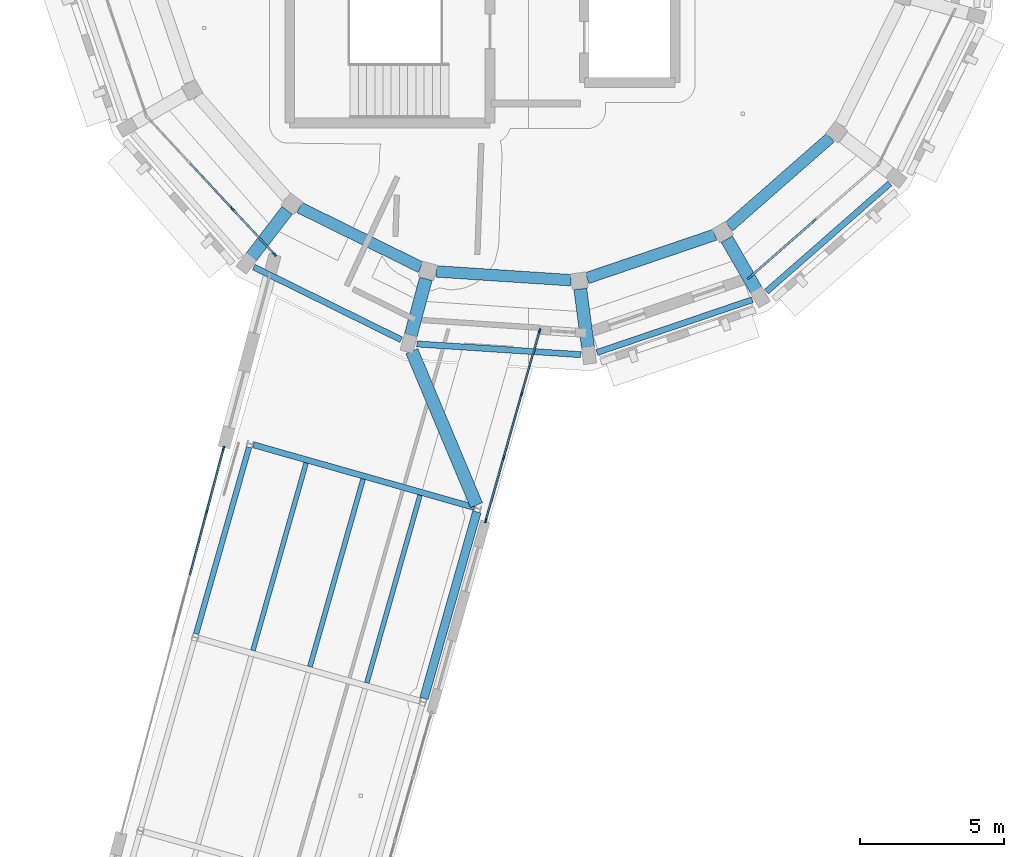
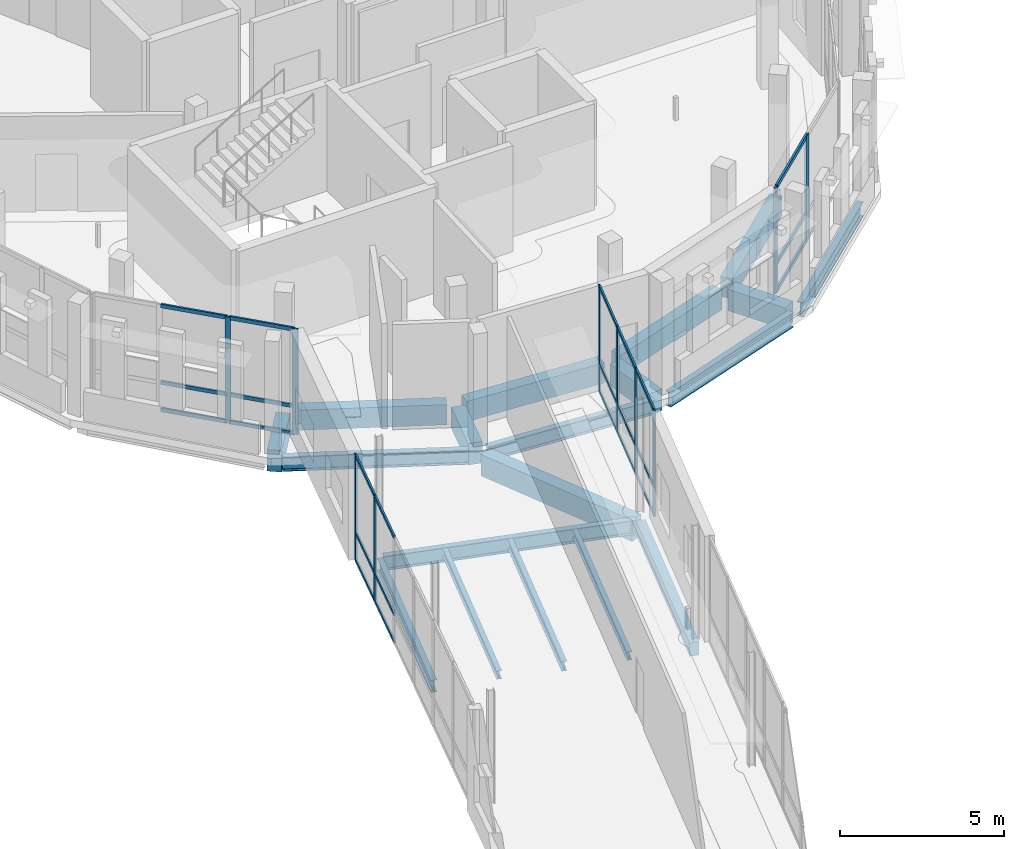
# One storey, part 63 of 125: 34 members, 19 beams, 4 elements without a shape of their own.
"""IFC4 building model written with IfcOpenShell, lengths in metres."""

from ifc_helpers import new_model, si_unit, direction, frame, origin, origin_2d, place, context, subcontext, project, spatial, rectangle, i_section, extrude, material, material_profile, profile_set, type_object, element, aggregate, save


model = new_model("IFC4")

# Units and contexts
model_context = context("Model", 3, precision=1e-05, world=origin(), true_north=direction((0.0, 1.0)))
body_context = subcontext(model_context, "Body", "Model", "MODEL_VIEW")
ifc_project = project(units=[si_unit("LENGTHUNIT", "METRE"), si_unit("AREAUNIT", "SQUARE_METRE"), si_unit("VOLUMEUNIT", "CUBIC_METRE"), si_unit("PLANEANGLEUNIT", "RADIAN"), si_unit("MASSUNIT", "GRAM", prefix="KILO")], contexts=[model_context])

# Site, building, storey
site_placement = place(None, origin())
site = spatial("IfcSite", under=ifc_project, at=site_placement, CompositionType="ELEMENT")
building_placement = place(site_placement, origin())
building = spatial("IfcBuilding", under=site, at=building_placement, Name="Wrenclough Park School", CompositionType="ELEMENT")
storey_placement = place(building_placement, frame((0.0, 0.0, 4.199951171875)))
storey = spatial("IfcBuildingStorey", under=building, at=storey_placement, Name="L01", CompositionType="ELEMENT", Elevation=4.199951171875)

# Curtain wall, members
ifc_material_1 = material(Name="Thermally broken aluminium and low-e glass curtain wall", Category="aluminium")
curtain_wall_type_1 = type_object("IfcCurtainWallType", Name="ENV-CW-09", PredefinedType="USERDEFINED", material=ifc_material_1)
curtain_wall_1_placement = place(storey_placement, origin())
curtain_wall_1 = element("IfcCurtainWall", 1, at=curtain_wall_1_placement, inside=storey, type_object=curtain_wall_type_1, Name="L01 recessed curtain wall assembly 120", ObjectType="CURTAIN WALL", PredefinedType="USERDEFINED")
ifc_material_2 = material(Name="Thermally broken anodised aluminium", Category="aluminium")
ifc_material_profile_1 = material_profile(ifc_material_2, rectangle(XDim=0.06005859375, YDim=0.159912109375, at=origin_2d()), Name="AL MULLION 60x160")
ifc_profile_set_1 = profile_set([ifc_material_profile_1], Name="Thermally broken anodised aluminium")
member_type_1 = type_object("IfcMemberType", Name="ENV-CWM-1", PredefinedType="MULLION", material=ifc_profile_set_1)
member_1_placement = place(storey_placement, frame((174.8818359375, 78.42529296875, 0.0), z_axis=(0.0, 0.0, 1.0), x_axis=(0.962063363218, -0.272826107905, 0.0)))
member_1 = element("IfcMember", 2, at=member_1_placement, type_object=member_type_1, Name="CW-09 mullion 1", PredefinedType="MULLION", context=body_context, shape_type="SweptSolid", body=[
    extrude(rectangle(XDim=0.06005859375, YDim=0.159912109375, at=origin_2d()), origin(), (0.0, 0.0, 1.0), 3.93994140625),
])
member_2_placement = place(storey_placement, frame((174.26416015625, 76.24755859375, 0.0), z_axis=(0.0, 0.0, 1.0), x_axis=(0.962063363218, -0.272826107905, 0.0)))
member_2 = element("IfcMember", 3, at=member_2_placement, type_object=member_type_1, Name="CW-09 mullion 2", PredefinedType="MULLION", context=body_context, shape_type="SweptSolid", body=[
    extrude(rectangle(XDim=0.06005859375, YDim=0.159912109375, at=origin_2d()), origin(), (0.0, 0.0, 1.0), 3.93994140625),
])
member_3_placement = place(storey_placement, frame((173.638427734375, 74.041015625, 0.0), z_axis=(0.0, 0.0, 1.0), x_axis=(0.962063363218, -0.272826107905, 0.0)))
member_3 = element("IfcMember", 4, at=member_3_placement, type_object=member_type_1, Name="CW-09 mullion 3", PredefinedType="MULLION", context=body_context, shape_type="SweptSolid", body=[
    extrude(rectangle(XDim=0.06005859375, YDim=0.159912109375, at=origin_2d()), origin(), (0.0, 0.0, 1.0), 3.93994140625),
])
member_4_placement = place(storey_placement, frame((173.02099609375, 71.86328125, 0.0), z_axis=(0.0, 0.0, 1.0), x_axis=(0.962063363218, -0.272826107905, 0.0)))
member_4 = element("IfcMember", 5, at=member_4_placement, type_object=member_type_1, Name="CW-09 mullion 4", PredefinedType="MULLION", context=body_context, shape_type="SweptSolid", body=[
    extrude(rectangle(XDim=0.06005859375, YDim=0.159912109375, at=origin_2d()), origin(), (0.0, 0.0, 1.0), 3.93994140625),
])

curtain_wall_type_2 = type_object("IfcCurtainWallType", Name="ENV-CW-13", PredefinedType="USERDEFINED", material=ifc_material_1)
curtain_wall_2_placement = place(storey_placement, origin())
curtain_wall_2 = element("IfcCurtainWall", 6, at=curtain_wall_2_placement, inside=storey, type_object=curtain_wall_type_2, Name="L01 recessed curtain wall assembly 156", ObjectType="CURTAIN WALL", PredefinedType="USERDEFINED")
member_5_placement = place(storey_placement, frame((163.35888671875, 72.1669921875, 0.0), z_axis=(0.0, 0.0, 1.0), x_axis=(-0.966438093709, 0.256899612745, 0.0)))
member_5 = element("IfcMember", 7, at=member_5_placement, type_object=member_type_1, Name="CW-13 mullion 3", PredefinedType="MULLION", context=body_context, shape_type="SweptSolid", body=[
    extrude(rectangle(XDim=0.06005859375, YDim=0.159912109375, at=origin_2d()), origin(), (0.0, 0.0, 1.0), 3.93994140625),
])
member_6_placement = place(storey_placement, frame((163.94140625, 74.358642578125, 0.0), z_axis=(0.0, 0.0, 1.0), x_axis=(-0.966438093709, 0.256899612745, 0.0)))
member_6 = element("IfcMember", 8, at=member_6_placement, type_object=member_type_1, Name="CW-13 mullion 4", PredefinedType="MULLION", context=body_context, shape_type="SweptSolid", body=[
    extrude(rectangle(XDim=0.06005859375, YDim=0.159912109375, at=origin_2d()), origin(), (0.0, 0.0, 1.0), 3.93994140625),
])

curtain_wall_type_3 = type_object("IfcCurtainWallType", Name="ENV-CW-14", PredefinedType="USERDEFINED", material=ifc_material_1)
curtain_wall_3_placement = place(storey_placement, origin())
curtain_wall_3 = element("IfcCurtainWall", 9, at=curtain_wall_3_placement, inside=storey, type_object=curtain_wall_type_3, Name="L01 recessed curtain wall assembly 157", ObjectType="CURTAIN WALL", PredefinedType="USERDEFINED")
ifc_material_profile_2 = material_profile(ifc_material_2, rectangle(XDim=0.06494140625, YDim=0.179931640625, at=origin_2d()), Name="AL MULLION 65x180")
ifc_profile_set_2 = profile_set([ifc_material_profile_2], Name="Thermally broken anodised aluminium")
member_type_2 = type_object("IfcMemberType", Name="ENV-CWM-2", PredefinedType="MULLION", material=ifc_profile_set_2)
member_7_placement = place(storey_placement, frame((165.6982421875, 81.088134765625, 0.0), z_axis=(0.0, 0.0, 1.0), x_axis=(-0.733012925047, -0.68021471001, 0.0)))
member_7 = element("IfcMember", 10, at=member_7_placement, type_object=member_type_2, Name="CW-14 mullion 1", PredefinedType="MULLION", context=body_context, shape_type="SweptSolid", body=[
    extrude(rectangle(XDim=0.06494140625, YDim=0.179931640625, at=origin_2d()), origin(), (0.0, 0.0, 1.0), 3.93994140625),
])
member_8_placement = place(storey_placement, frame((164.237548828125, 82.662353515625, 0.0), z_axis=(0.0, 0.0, 1.0), x_axis=(-0.733012925047, -0.68021471001, 0.0)))
member_8 = element("IfcMember", 11, at=member_8_placement, type_object=member_type_2, Name="CW-14 mullion 2", PredefinedType="MULLION", context=body_context, shape_type="SweptSolid", body=[
    extrude(rectangle(XDim=0.06494140625, YDim=0.179931640625, at=origin_2d()), origin(), (0.0, 0.0, 1.0), 3.93994140625),
])

curtain_wall_type_4 = type_object("IfcCurtainWallType", Name="ENV-CW-08", PredefinedType="USERDEFINED", material=ifc_material_1)
curtain_wall_4_placement = place(storey_placement, origin())
curtain_wall_4 = element("IfcCurtainWall", 12, at=curtain_wall_4_placement, inside=storey, type_object=curtain_wall_type_4, Name="L01 recessed curtain wall assembly 119", ObjectType="CURTAIN WALL", PredefinedType="USERDEFINED")
ifc_material_profile_3 = material_profile(ifc_material_2, rectangle(XDim=0.070068359375, YDim=0.199951171875, at=origin_2d()), Name="AL MULLION 70x200")
ifc_profile_set_3 = profile_set([ifc_material_profile_3], Name="Thermally broken anodised aluminium")
member_type_3 = type_object("IfcMemberType", Name="ENV-CWM-3", PredefinedType="MULLION", material=ifc_profile_set_3)
member_9_placement = place(storey_placement, frame((184.379638671875, 82.234375, 0.0), z_axis=(0.0, 0.0, 1.0), x_axis=(0.65936519908, -0.751822807743, 0.0)))
member_9 = element("IfcMember", 13, at=member_9_placement, type_object=member_type_3, Name="CW-08 mullion 2", PredefinedType="MULLION", context=body_context, shape_type="SweptSolid", body=[
    extrude(rectangle(XDim=0.070068359375, YDim=0.199951171875, at=origin_2d()), origin(), (0.0, 0.0, 1.0), 3.93994140625),
])
member_10_placement = place(storey_placement, frame((182.168212890625, 80.294677734375, 0.0), z_axis=(0.0, 0.0, 1.0), x_axis=(0.65936519908, -0.751822807743, 0.0)))
member_10 = element("IfcMember", 14, at=member_10_placement, type_object=member_type_3, Name="CW-08 mullion 3", PredefinedType="MULLION", context=body_context, shape_type="SweptSolid", body=[
    extrude(rectangle(XDim=0.070068359375, YDim=0.199951171875, at=origin_2d()), origin(), (0.0, 0.0, 1.0), 3.93994140625),
])

# Member
ifc_material_profile_4 = material_profile(ifc_material_2, rectangle(XDim=0.06005859375, YDim=0.1201171875, at=origin_2d()), Name="AL TRANSOM 60x120")
ifc_profile_set_4 = profile_set([ifc_material_profile_4], Name="Thermally broken anodised aluminium")
member_type_4 = type_object("IfcMemberType", Name="ENV-CWT-1", PredefinedType="USERDEFINED", material=ifc_profile_set_4)
member_11_placement = place(storey_placement, frame((174.87353515625, 78.396484375, 0.030029296875), z_axis=(-0.272759819839, -0.962082159008, 0.0), x_axis=(0.962082159008, -0.272759819839, 0.0)))
member_11 = element("IfcMember", 15, at=member_11_placement, type_object=member_type_4, Name="CW-09 transom 1.1", ObjectType="TRANSOM", PredefinedType="USERDEFINED", context=body_context, shape_type="SweptSolid", body=[
    extrude(rectangle(XDim=0.06005859375, YDim=0.1201171875, at=origin_2d()), origin(), (0.0, 0.0, 1.0), 2.20361328125),
])

member_12_placement = place(storey_placement, frame((174.87353515625, 78.396484375, 1.050048828125), z_axis=(-0.272759819839, -0.962082159008, 0.0), x_axis=(0.962082159008, -0.272759819839, 0.0)))
member_12 = element("IfcMember", 16, at=member_12_placement, type_object=member_type_4, Name="CW-09 transom 1.2", ObjectType="TRANSOM", PredefinedType="USERDEFINED", context=body_context, shape_type="SweptSolid", body=[
    extrude(rectangle(XDim=0.06005859375, YDim=0.1201171875, at=origin_2d()), origin(), (0.0, 0.0, 1.0), 2.20361328125),
])

member_13_placement = place(storey_placement, frame((174.87353515625, 78.396484375, 3.91015625), z_axis=(-0.272759819839, -0.962082159008, 0.0), x_axis=(0.962082159008, -0.272759819839, 0.0)))
member_13 = element("IfcMember", 17, at=member_13_placement, type_object=member_type_4, Name="CW-09 transom 1.3", ObjectType="TRANSOM", PredefinedType="USERDEFINED", context=body_context, shape_type="SweptSolid", body=[
    extrude(rectangle(XDim=0.06005859375, YDim=0.1201171875, at=origin_2d()), origin(), (0.0, 0.0, 1.0), 2.20361328125),
])

member_14_placement = place(storey_placement, frame((174.256103515625, 76.21875, 0.030029296875), z_axis=(-0.272815040683, -0.96206650164, 0.0), x_axis=(0.96206650164, -0.272815040683, 0.0)))
member_14 = element("IfcMember", 18, at=member_14_placement, type_object=member_type_4, Name="CW-09 transom 2.1", ObjectType="TRANSOM", PredefinedType="USERDEFINED", context=body_context, shape_type="SweptSolid", body=[
    extrude(rectangle(XDim=0.06005859375, YDim=0.1201171875, at=origin_2d()), origin(), (0.0, 0.0, 1.0), 2.233642578125),
])

member_15_placement = place(storey_placement, frame((174.256103515625, 76.21875, 1.050048828125), z_axis=(-0.272815040683, -0.96206650164, 0.0), x_axis=(0.96206650164, -0.272815040683, 0.0)))
member_15 = element("IfcMember", 19, at=member_15_placement, type_object=member_type_4, Name="CW-09 transom 2.2", ObjectType="TRANSOM", PredefinedType="USERDEFINED", context=body_context, shape_type="SweptSolid", body=[
    extrude(rectangle(XDim=0.06005859375, YDim=0.1201171875, at=origin_2d()), origin(), (0.0, 0.0, 1.0), 2.233642578125),
])

member_16_placement = place(storey_placement, frame((174.256103515625, 76.21875, 3.91015625), z_axis=(-0.272815040683, -0.96206650164, 0.0), x_axis=(0.96206650164, -0.272815040683, 0.0)))
member_16 = element("IfcMember", 20, at=member_16_placement, type_object=member_type_4, Name="CW-09 transom 2.3", ObjectType="TRANSOM", PredefinedType="USERDEFINED", context=body_context, shape_type="SweptSolid", body=[
    extrude(rectangle(XDim=0.06005859375, YDim=0.1201171875, at=origin_2d()), origin(), (0.0, 0.0, 1.0), 2.233642578125),
])

member_17_placement = place(storey_placement, frame((173.63037109375, 74.011962890625, 0.030029296875), z_axis=(-0.27289144552, -0.962044832096, 0.0), x_axis=(0.962044832096, -0.27289144552, 0.0)))
member_17 = element("IfcMember", 21, at=member_17_placement, type_object=member_type_4, Name="CW-09 transom 3.1", ObjectType="TRANSOM", PredefinedType="USERDEFINED", context=body_context, shape_type="SweptSolid", body=[
    extrude(rectangle(XDim=0.06005859375, YDim=0.1201171875, at=origin_2d()), origin(), (0.0, 0.0, 1.0), 2.20361328125),
])

member_18_placement = place(storey_placement, frame((173.63037109375, 74.011962890625, 1.050048828125), z_axis=(-0.27289144552, -0.962044832096, 0.0), x_axis=(0.962044832096, -0.27289144552, 0.0)))
member_18 = element("IfcMember", 22, at=member_18_placement, type_object=member_type_4, Name="CW-09 transom 3.2", ObjectType="TRANSOM", PredefinedType="USERDEFINED", context=body_context, shape_type="SweptSolid", body=[
    extrude(rectangle(XDim=0.06005859375, YDim=0.1201171875, at=origin_2d()), origin(), (0.0, 0.0, 1.0), 2.20361328125),
])

member_19_placement = place(storey_placement, frame((173.63037109375, 74.011962890625, 3.91015625), z_axis=(-0.27289144552, -0.962044832096, 0.0), x_axis=(0.962044832096, -0.27289144552, 0.0)))
member_19 = element("IfcMember", 23, at=member_19_placement, type_object=member_type_4, Name="CW-09 transom 3.3", ObjectType="TRANSOM", PredefinedType="USERDEFINED", context=body_context, shape_type="SweptSolid", body=[
    extrude(rectangle(XDim=0.06005859375, YDim=0.1201171875, at=origin_2d()), origin(), (0.0, 0.0, 1.0), 2.20361328125),
])

aggregate(curtain_wall_1, [member_1, member_2, member_3, member_4, member_11, member_12, member_13, member_14, member_15, member_16, member_17, member_18, member_19])

member_20_placement = place(storey_placement, frame((162.7763671875, 69.975341796875, 0.030029296875), z_axis=(0.256834079261, 0.966455511511, 0.0), x_axis=(-0.966455511511, 0.256834079261, 0.0)))
member_20 = element("IfcMember", 24, at=member_20_placement, type_object=member_type_4, Name="CW-13 transom 2.1", ObjectType="TRANSOM", PredefinedType="USERDEFINED", context=body_context, shape_type="SweptSolid", body=[
    extrude(rectangle(XDim=0.06005859375, YDim=0.1201171875, at=origin_2d()), origin(), (0.0, 0.0, 1.0), 2.237548828125),
])

member_21_placement = place(storey_placement, frame((162.7763671875, 69.975341796875, 1.050048828125), z_axis=(0.256834079261, 0.966455511511, 0.0), x_axis=(-0.966455511511, 0.256834079261, 0.0)))
member_21 = element("IfcMember", 25, at=member_21_placement, type_object=member_type_4, Name="CW-13 transom 2.2", ObjectType="TRANSOM", PredefinedType="USERDEFINED", context=body_context, shape_type="SweptSolid", body=[
    extrude(rectangle(XDim=0.06005859375, YDim=0.1201171875, at=origin_2d()), origin(), (0.0, 0.0, 1.0), 2.237548828125),
])

member_22_placement = place(storey_placement, frame((162.7763671875, 69.975341796875, 3.91015625), z_axis=(0.256834079261, 0.966455511511, 0.0), x_axis=(-0.966455511511, 0.256834079261, 0.0)))
member_22 = element("IfcMember", 26, at=member_22_placement, type_object=member_type_4, Name="CW-13 transom 2.3", ObjectType="TRANSOM", PredefinedType="USERDEFINED", context=body_context, shape_type="SweptSolid", body=[
    extrude(rectangle(XDim=0.06005859375, YDim=0.1201171875, at=origin_2d()), origin(), (0.0, 0.0, 1.0), 2.237548828125),
])

member_23_placement = place(storey_placement, frame((163.36669921875, 72.196044921875, 0.030029296875), z_axis=(0.256898541394, 0.966438378496, 0.0), x_axis=(-0.966438378496, 0.256898541394, 0.0)))
member_23 = element("IfcMember", 27, at=member_23_placement, type_object=member_type_4, Name="CW-13 transom 3.1", ObjectType="TRANSOM", PredefinedType="USERDEFINED", context=body_context, shape_type="SweptSolid", body=[
    extrude(rectangle(XDim=0.06005859375, YDim=0.1201171875, at=origin_2d()), origin(), (0.0, 0.0, 1.0), 2.20751953125),
])

member_24_placement = place(storey_placement, frame((163.36669921875, 72.196044921875, 1.050048828125), z_axis=(0.256898541394, 0.966438378496, 0.0), x_axis=(-0.966438378496, 0.256898541394, 0.0)))
member_24 = element("IfcMember", 28, at=member_24_placement, type_object=member_type_4, Name="CW-13 transom 3.2", ObjectType="TRANSOM", PredefinedType="USERDEFINED", context=body_context, shape_type="SweptSolid", body=[
    extrude(rectangle(XDim=0.06005859375, YDim=0.1201171875, at=origin_2d()), origin(), (0.0, 0.0, 1.0), 2.20751953125),
])

member_25_placement = place(storey_placement, frame((163.36669921875, 72.196044921875, 3.91015625), z_axis=(0.256898541394, 0.966438378496, 0.0), x_axis=(-0.966438378496, 0.256898541394, 0.0)))
member_25 = element("IfcMember", 29, at=member_25_placement, type_object=member_type_4, Name="CW-13 transom 3.3", ObjectType="TRANSOM", PredefinedType="USERDEFINED", context=body_context, shape_type="SweptSolid", body=[
    extrude(rectangle(XDim=0.06005859375, YDim=0.1201171875, at=origin_2d()), origin(), (0.0, 0.0, 1.0), 2.20751953125),
])

aggregate(curtain_wall_2, [member_5, member_6, member_20, member_21, member_22, member_23, member_24, member_25])

ifc_material_profile_5 = material_profile(ifc_material_2, rectangle(XDim=0.06494140625, YDim=0.139892578125, at=origin_2d()), Name="AL TRANSOM 65x140")
ifc_profile_set_5 = profile_set([ifc_material_profile_5], Name="Thermally broken anodised aluminium")
member_type_5 = type_object("IfcMemberType", Name="ENV-CWT-2", PredefinedType="USERDEFINED", material=ifc_profile_set_5)
member_26_placement = place(storey_placement, frame((165.67626953125, 81.112060546875, 0.032470703125), z_axis=(-0.68029820098, 0.732935439001, 0.0), x_axis=(-0.732935439001, -0.68029820098, 0.0)))
member_26 = element("IfcMember", 30, at=member_26_placement, type_object=member_type_5, Name="CW-14 transom 1.1", ObjectType="TRANSOM", PredefinedType="USERDEFINED", context=body_context, shape_type="SweptSolid", body=[
    extrude(rectangle(XDim=0.06494140625, YDim=0.139892578125, at=origin_2d()), origin(), (0.0, 0.0, 1.0), 2.08251953125),
])

member_27_placement = place(storey_placement, frame((165.67626953125, 81.112060546875, 1.050048828125), z_axis=(-0.68029820098, 0.732935439001, 0.0), x_axis=(-0.732935439001, -0.68029820098, 0.0)))
member_27 = element("IfcMember", 31, at=member_27_placement, type_object=member_type_5, Name="CW-14 transom 1.2", ObjectType="TRANSOM", PredefinedType="USERDEFINED", context=body_context, shape_type="SweptSolid", body=[
    extrude(rectangle(XDim=0.06494140625, YDim=0.139892578125, at=origin_2d()), origin(), (0.0, 0.0, 1.0), 2.08251953125),
])

member_28_placement = place(storey_placement, frame((165.67626953125, 81.112060546875, 3.907470703125), z_axis=(-0.68029820098, 0.732935439001, 0.0), x_axis=(-0.732935439001, -0.68029820098, 0.0)))
member_28 = element("IfcMember", 32, at=member_28_placement, type_object=member_type_5, Name="CW-14 transom 1.3", ObjectType="TRANSOM", PredefinedType="USERDEFINED", context=body_context, shape_type="SweptSolid", body=[
    extrude(rectangle(XDim=0.06494140625, YDim=0.139892578125, at=origin_2d()), origin(), (0.0, 0.0, 1.0), 2.08251953125),
])

member_29_placement = place(storey_placement, frame((164.21533203125, 82.68603515625, 0.032470703125), z_axis=(-0.680176524177, 0.733048358541, 0.0), x_axis=(-0.733048358541, -0.680176524177, 0.0)))
member_29 = element("IfcMember", 33, at=member_29_placement, type_object=member_type_5, Name="CW-14 transom 2.1", ObjectType="TRANSOM", PredefinedType="USERDEFINED", context=body_context, shape_type="SweptSolid", body=[
    extrude(rectangle(XDim=0.06494140625, YDim=0.139892578125, at=origin_2d()), origin(), (0.0, 0.0, 1.0), 2.11474609375),
])

member_30_placement = place(storey_placement, frame((164.21533203125, 82.68603515625, 1.050048828125), z_axis=(-0.680176524177, 0.733048358541, 0.0), x_axis=(-0.733048358541, -0.680176524177, 0.0)))
member_30 = element("IfcMember", 34, at=member_30_placement, type_object=member_type_5, Name="CW-14 transom 2.2", ObjectType="TRANSOM", PredefinedType="USERDEFINED", context=body_context, shape_type="SweptSolid", body=[
    extrude(rectangle(XDim=0.06494140625, YDim=0.139892578125, at=origin_2d()), origin(), (0.0, 0.0, 1.0), 2.11474609375),
])

member_31_placement = place(storey_placement, frame((164.21533203125, 82.68603515625, 3.907470703125), z_axis=(-0.680176524177, 0.733048358541, 0.0), x_axis=(-0.733048358541, -0.680176524177, 0.0)))
member_31 = element("IfcMember", 35, at=member_31_placement, type_object=member_type_5, Name="CW-14 transom 2.3", ObjectType="TRANSOM", PredefinedType="USERDEFINED", context=body_context, shape_type="SweptSolid", body=[
    extrude(rectangle(XDim=0.06494140625, YDim=0.139892578125, at=origin_2d()), origin(), (0.0, 0.0, 1.0), 2.11474609375),
])

aggregate(curtain_wall_3, [member_7, member_8, member_26, member_27, member_28, member_29, member_30, member_31])

ifc_material_profile_6 = material_profile(ifc_material_2, rectangle(XDim=0.070068359375, YDim=0.14990234375, at=origin_2d()), Name="AL TRANSOM 70x150")
ifc_profile_set_6 = profile_set([ifc_material_profile_6], Name="Thermally broken anodised aluminium")
member_type_6 = type_object("IfcMemberType", Name="ENV-CWT-3", PredefinedType="USERDEFINED", material=ifc_profile_set_6)
member_32_placement = place(storey_placement, frame((184.353271484375, 82.211181640625, 0.03515625), z_axis=(-0.751807177873, -0.659383020177, 0.0), x_axis=(0.659383020177, -0.751807177873, 0.0)))
member_32 = element("IfcMember", 36, at=member_32_placement, type_object=member_type_6, Name="CW-08 transom 2.1", ObjectType="TRANSOM", PredefinedType="USERDEFINED", context=body_context, shape_type="SweptSolid", body=[
    extrude(rectangle(XDim=0.070068359375, YDim=0.14990234375, at=origin_2d()), origin(), (0.0, 0.0, 1.0), 2.871337890625),
])

member_33_placement = place(storey_placement, frame((184.353271484375, 82.211181640625, 1.050048828125), z_axis=(-0.751807177873, -0.659383020177, 0.0), x_axis=(0.659383020177, -0.751807177873, 0.0)))
member_33 = element("IfcMember", 37, at=member_33_placement, type_object=member_type_6, Name="CW-08 transom 2.2", ObjectType="TRANSOM", PredefinedType="USERDEFINED", context=body_context, shape_type="SweptSolid", body=[
    extrude(rectangle(XDim=0.070068359375, YDim=0.14990234375, at=origin_2d()), origin(), (0.0, 0.0, 1.0), 2.871337890625),
])

member_34_placement = place(storey_placement, frame((184.353271484375, 82.211181640625, 3.905029296875), z_axis=(-0.751807177873, -0.659383020177, 0.0), x_axis=(0.659383020177, -0.751807177873, 0.0)))
member_34 = element("IfcMember", 38, at=member_34_placement, type_object=member_type_6, Name="CW-08 transom 2.3", ObjectType="TRANSOM", PredefinedType="USERDEFINED", context=body_context, shape_type="SweptSolid", body=[
    extrude(rectangle(XDim=0.070068359375, YDim=0.14990234375, at=origin_2d()), origin(), (0.0, 0.0, 1.0), 2.871337890625),
])

aggregate(curtain_wall_4, [member_9, member_10, member_32, member_33, member_34])

# Beams
ifc_material_3 = material(Name="Concrete C32/40", Category="concrete")
ifc_material_profile_7 = material_profile(ifc_material_3, rectangle(XDim=0.300048828125, YDim=0.5, at=origin_2d()), Name="RC BEAM 300x500")
ifc_profile_set_7 = profile_set([ifc_material_profile_7], Name="Concrete C32/40")
beam_type_1 = type_object("IfcBeamType", Name="STR-BM-RC300", PredefinedType="BEAM", material=ifc_profile_set_7)
beam_1_placement = place(storey_placement, frame((170.877685546875, 65.698974609375, -0.489990234375), z_axis=(0.272849195102, 0.962056815751, 0.0), x_axis=(-0.962056815751, 0.272849195102, 0.0)))
element("IfcBeam", 39, at=beam_1_placement, inside=storey, type_object=beam_type_1, Name="W14 L01 longitudinal edge beam R3", PredefinedType="BEAM", context=body_context, shape_type="SweptSolid", body=[
    extrude(rectangle(XDim=0.300048828125, YDim=0.5, at=origin_2d()), origin(), (0.0, 0.0, 1.0), 6.7197265625),
])
ifc_material_4 = material(Name="Concrete C35/45", Category="concrete")
ifc_material_profile_8 = material_profile(ifc_material_4, rectangle(XDim=0.39990234375, YDim=0.75, at=origin_2d()), Name="RC BEAM 400x750")
ifc_profile_set_8 = profile_set([ifc_material_profile_8], Name="Concrete C35/45")
beam_type_2 = type_object("IfcBeamType", Name="STR-BM-RC400B", PredefinedType="BEAM", material=ifc_profile_set_8)
beam_2_placement = place(storey_placement, frame((166.570556640625, 82.701904296875, -0.639892578125), z_axis=(0.896880241617, -0.442273481226, 0.0), x_axis=(0.442273481226, 0.896880241617, 0.0)))
element("IfcBeam", 40, at=beam_2_placement, inside=storey, type_object=beam_type_2, Name="D5 L01 middle ring beam 11", PredefinedType="BEAM", context=body_context, shape_type="SweptSolid", body=[
    extrude(rectangle(XDim=0.39990234375, YDim=0.75, at=origin_2d()), origin(), (0.0, 0.0, 1.0), 4.671630859375),
])
for number, where, z_axis, x_axis, name in (
    (41, (171.306396484375, 80.489501953125, -0.639892578125), (0.997857396509, -0.065426418457, 0.0), (0.065426418457, 0.997857396509, 0.0), "D5 L01 middle ring beam 12"),
    (42, (176.5283203125, 80.2578125, -0.639892578125), (0.946934115804, 0.321427721776, 0.0), (-0.321427721776, 0.946934115804, 0.0), "D5 L01 middle ring beam 13"),
    (43, (181.44140625, 82.0419921875, -0.639892578125), (0.751864088667, 0.659318126683, 0.0), (-0.659318126683, 0.751864088667, 0.0), "D5 L01 middle ring beam 14"),
):
    element("IfcBeam", number, at=place(storey_placement, frame(where, z_axis=z_axis, x_axis=x_axis)), inside=storey, type_object=beam_type_2, Name=name, PredefinedType="BEAM", context=body_context, shape_type="SweptSolid", body=[
        extrude(rectangle(XDim=0.39990234375, YDim=0.75, at=origin_2d()), origin(), (0.0, 0.0, 1.0), 4.671875),
    ])
ifc_material_5 = material(Name="Concrete C40/50", Category="concrete")
ifc_material_profile_9 = material_profile(ifc_material_5, rectangle(XDim=0.449951171875, YDim=0.800048828125, at=origin_2d()), Name="RC BEAM 450x800")
ifc_profile_set_9 = profile_set([ifc_material_profile_9], Name="Concrete C40/50")
beam_type_3 = type_object("IfcBeamType", Name="STR-BM-RC450", PredefinedType="BEAM", material=ifc_profile_set_9)
for number, where, z_axis, x_axis, name in (
    (44, (164.90478515625, 80.9951171875, -0.6650390625), (0.608783476285, 0.793336422335, 0.0), (-0.793336422335, 0.608783476285, 0.0), "D5 L01 radial girder 11"),
    (45, (170.42041015625, 78.275146484375, -0.6650390625), (0.258878789183, 0.965909815931, 0.0), (-0.965909815931, 0.258878789183, 0.0), "D5 L01 radial girder 12"),
):
    element("IfcBeam", number, at=place(storey_placement, frame(where, z_axis=z_axis, x_axis=x_axis)), inside=storey, type_object=beam_type_3, Name=name, PredefinedType="BEAM", context=body_context, shape_type="SweptSolid", body=[
        extrude(rectangle(XDim=0.449951171875, YDim=0.800048828125, at=origin_2d()), origin(), (0.0, 0.0, 1.0), 2.02392578125),
    ])
for number, where, z_axis, x_axis, name in (
    (46, (176.557373046875, 77.872802734375, -0.6650390625), (-0.130504433005, 0.991447725786, 0.0), (-0.991447725786, -0.130504433005, 0.0), "D5 L01 radial girder 13"),
    (47, (182.381103515625, 79.849609375, -0.6650390625), (-0.500056541798, 0.865992756901, 0.0), (-0.865992756901, -0.500056541798, 0.0), "D5 L01 radial girder 14"),
):
    element("IfcBeam", number, at=place(storey_placement, frame(where, z_axis=z_axis, x_axis=x_axis)), inside=storey, type_object=beam_type_3, Name=name, PredefinedType="BEAM", context=body_context, shape_type="SweptSolid", body=[
        extrude(rectangle(XDim=0.449951171875, YDim=0.800048828125, at=origin_2d()), origin(), (0.0, 0.0, 1.0), 2.024169921875),
    ])
beam_3_placement = place(storey_placement, frame((172.697265625, 72.39404296875, -0.6650390625), z_axis=(-0.386959251148, 0.922096815931, 0.0), x_axis=(-0.922096815931, -0.386959251148, 0.0)))
element("IfcBeam", 48, at=beam_3_placement, inside=storey, type_object=beam_type_3, Name="W14 L01 drum junction tie beam 38", PredefinedType="BEAM", context=body_context, shape_type="SweptSolid", body=[
    extrude(rectangle(XDim=0.449951171875, YDim=0.800048828125, at=origin_2d()), origin(), (0.0, 0.0, 1.0), 5.7880859375),
])
ifc_material_6 = material(Name="Structural steel S355", Category="steel")
ifc_material_profile_10 = material_profile(ifc_material_6, i_section(OverallWidth=0.1650390625, OverallDepth=0.303466796875, WebThickness=0.006103515625, FlangeThickness=0.01025390625, FilletRadius=0.0087890625, at=origin_2d()), Name="UKB 305x165x40")
ifc_profile_set_10 = profile_set([ifc_material_profile_10], Name="Structural steel S355")
beam_type_4 = type_object("IfcBeamType", Name="STR-BM-UKB305", PredefinedType="JOIST", material=ifc_profile_set_10)
beam_4_placement = place(storey_placement, frame((164.956298828125, 67.360107421875, -0.3916015625), z_axis=(0.27284457139, 0.962058127071, 0.0), x_axis=(-0.962058127071, 0.27284457139, 0.0)))
element("IfcBeam", 49, at=beam_4_placement, inside=storey, type_object=beam_type_4, Name="W14 L01 secondary floor joist 0067", PredefinedType="JOIST", context=body_context, shape_type="SweptSolid", body=[
    extrude(i_section(OverallWidth=0.1650390625, OverallDepth=0.303466796875, WebThickness=0.006103515625, FlangeThickness=0.01025390625, FilletRadius=0.0087890625, at=origin_2d()), origin(), (0.0, 0.0, 1.0), 6.7548828125),
])
beam_5_placement = place(storey_placement, frame((168.90087890625, 66.241455078125, -0.3916015625), z_axis=(0.2728111184, 0.96206761388, 0.0), x_axis=(-0.96206761388, 0.2728111184, 0.0)))
element("IfcBeam", 50, at=beam_5_placement, inside=storey, type_object=beam_type_4, Name="W14 L01 secondary floor joist 0069", PredefinedType="JOIST", context=body_context, shape_type="SweptSolid", body=[
    extrude(i_section(OverallWidth=0.1650390625, OverallDepth=0.303466796875, WebThickness=0.006103515625, FlangeThickness=0.01025390625, FilletRadius=0.0087890625, at=origin_2d()), origin(), (0.0, 0.0, 1.0), 6.754638671875),
])
ifc_material_profile_11 = material_profile(ifc_material_6, i_section(OverallWidth=0.17138671875, OverallDepth=0.35498046875, WebThickness=0.00732421875, FlangeThickness=0.011474609375, FilletRadius=0.01025390625, at=origin_2d()), Name="UKB 356x171x51")
ifc_profile_set_11 = profile_set([ifc_material_profile_11], Name="Structural steel S355")
beam_type_5 = type_object("IfcBeamType", Name="STR-BM-UKB356", PredefinedType="JOIST", material=ifc_profile_set_11)
beam_6_placement = place(storey_placement, frame((166.9287109375, 66.80078125, -0.41748046875), z_axis=(0.2728111184, 0.96206761388, 0.0), x_axis=(-0.96206761388, 0.2728111184, 0.0)))
element("IfcBeam", 51, at=beam_6_placement, inside=storey, type_object=beam_type_5, Name="W14 L01 secondary floor joist 0068", PredefinedType="JOIST", context=body_context, shape_type="SweptSolid", body=[
    extrude(i_section(OverallWidth=0.17138671875, OverallDepth=0.35498046875, WebThickness=0.00732421875, FlangeThickness=0.011474609375, FilletRadius=0.01025390625, at=origin_2d()), origin(), (0.0, 0.0, 1.0), 6.754638671875),
])
ifc_material_profile_12 = material_profile(ifc_material_6, i_section(OverallWidth=0.18994140625, OverallDepth=0.453369140625, WebThickness=0.008544921875, FlangeThickness=0.0126953125, FilletRadius=0.01025390625, at=origin_2d()), Name="UKB 457x191x67")
ifc_profile_set_12 = profile_set([ifc_material_profile_12], Name="Structural steel S355")
beam_type_6 = type_object("IfcBeamType", Name="STR-BM-UKB457A", PredefinedType="BEAM", material=ifc_profile_set_12)
beam_7_placement = place(storey_placement, frame((162.98876953125, 67.936279296875, -0.466552734375), z_axis=(0.272858732297, 0.962054110853, 0.0), x_axis=(-0.962054110853, 0.272858732297, 0.0)))
element("IfcBeam", 52, at=beam_7_placement, inside=storey, type_object=beam_type_6, Name="W14 L01 longitudinal edge beam L3", PredefinedType="BEAM", context=body_context, shape_type="SweptSolid", body=[
    extrude(i_section(OverallWidth=0.18994140625, OverallDepth=0.453369140625, WebThickness=0.008544921875, FlangeThickness=0.0126953125, FilletRadius=0.01025390625, at=origin_2d()), origin(), (0.0, 0.0, 1.0), 6.719482421875),
])
ifc_material_profile_13 = material_profile(ifc_material_6, i_section(OverallWidth=0.209228515625, OverallDepth=0.533203125, WebThickness=0.010009765625, FlangeThickness=0.015625, FilletRadius=0.0126953125, at=origin_2d()), Name="UKB 533x210x92")
ifc_profile_set_13 = profile_set([ifc_material_profile_13], Name="Structural steel S355")
beam_type_7 = type_object("IfcBeamType", Name="STR-BM-UKB533A", PredefinedType="BEAM", material=ifc_profile_set_13)
beam_8_placement = place(storey_placement, frame((164.97314453125, 74.4853515625, -0.506591796875), z_axis=(0.962058282015, -0.272844025052, 0.0), x_axis=(0.272844025052, 0.962058282015, 0.0)))
element("IfcBeam", 53, at=beam_8_placement, inside=storey, type_object=beam_type_7, Name="W14 L01 transverse floor beam 4", PredefinedType="BEAM", context=body_context, shape_type="SweptSolid", body=[
    extrude(i_section(OverallWidth=0.209228515625, OverallDepth=0.533203125, WebThickness=0.010009765625, FlangeThickness=0.015625, FilletRadius=0.0126953125, at=origin_2d()), origin(), (0.0, 0.0, 1.0), 7.95556640625),
])
ifc_material_profile_14 = material_profile(ifc_material_6, i_section(OverallWidth=0.210693359375, OverallDepth=0.53955078125, WebThickness=0.01171875, FlangeThickness=0.018798828125, FilletRadius=0.0126953125, at=origin_2d()), Name="UKB 533x210x109")
ifc_profile_set_14 = profile_set([ifc_material_profile_14], Name="Structural steel S355")
beam_type_8 = type_object("IfcBeamType", Name="STR-BM-UKB533B", PredefinedType="SPANDREL", material=ifc_profile_set_14)
beam_9_placement = place(storey_placement, frame((164.98779296875, 80.639404296875, -0.53466796875), z_axis=(0.896861071545, -0.442312353825, 0.0), x_axis=(0.442312353825, 0.896861071545, 0.0)))
element("IfcBeam", 54, at=beam_9_placement, inside=storey, type_object=beam_type_8, Name="D5 L01 outer ring spandrel beam 11", PredefinedType="SPANDREL", context=body_context, shape_type="SweptSolid", body=[
    extrude(i_section(OverallWidth=0.210693359375, OverallDepth=0.53955078125, WebThickness=0.01171875, FlangeThickness=0.018798828125, FilletRadius=0.0126953125, at=origin_2d()), origin(), (0.0, 0.0, 1.0), 5.686279296875),
])
beam_10_placement = place(storey_placement, frame((170.63330078125, 77.97802734375, -0.53466796875), z_axis=(0.997859935087, -0.065387689577, 0.0), x_axis=(0.065387689577, 0.997859935087, 0.0)))
element("IfcBeam", 55, at=beam_10_placement, inside=storey, type_object=beam_type_8, Name="D5 L01 outer ring spandrel beam 12", PredefinedType="SPANDREL", context=body_context, shape_type="SweptSolid", body=[
    extrude(i_section(OverallWidth=0.210693359375, OverallDepth=0.53955078125, WebThickness=0.01171875, FlangeThickness=0.018798828125, FilletRadius=0.0126953125, at=origin_2d()), origin(), (0.0, 0.0, 1.0), 5.6865234375),
])
beam_11_placement = place(storey_placement, frame((176.86767578125, 77.679931640625, -0.53466796875), z_axis=(0.946925734196, 0.321452413146, 0.0), x_axis=(-0.321452413146, 0.946925734196, 0.0)))
element("IfcBeam", 56, at=beam_11_placement, inside=storey, type_object=beam_type_8, Name="D5 L01 outer ring spandrel beam 13", PredefinedType="SPANDREL", context=body_context, shape_type="SweptSolid", body=[
    extrude(i_section(OverallWidth=0.210693359375, OverallDepth=0.53955078125, WebThickness=0.01171875, FlangeThickness=0.018798828125, FilletRadius=0.0126953125, at=origin_2d()), origin(), (0.0, 0.0, 1.0), 5.686279296875),
])
beam_12_placement = place(storey_placement, frame((182.741455078125, 79.790283203125, -0.53466796875), z_axis=(0.75185282878, 0.659330966856, 0.0), x_axis=(-0.659330966856, 0.75185282878, 0.0)))
element("IfcBeam", 57, at=beam_12_placement, inside=storey, type_object=beam_type_8, Name="D5 L01 outer ring spandrel beam 14", PredefinedType="SPANDREL", context=body_context, shape_type="SweptSolid", body=[
    extrude(i_section(OverallWidth=0.210693359375, OverallDepth=0.53955078125, WebThickness=0.01171875, FlangeThickness=0.018798828125, FilletRadius=0.0126953125, at=origin_2d()), origin(), (0.0, 0.0, 1.0), 5.6865234375),
])

save(model, "model.ifc")
